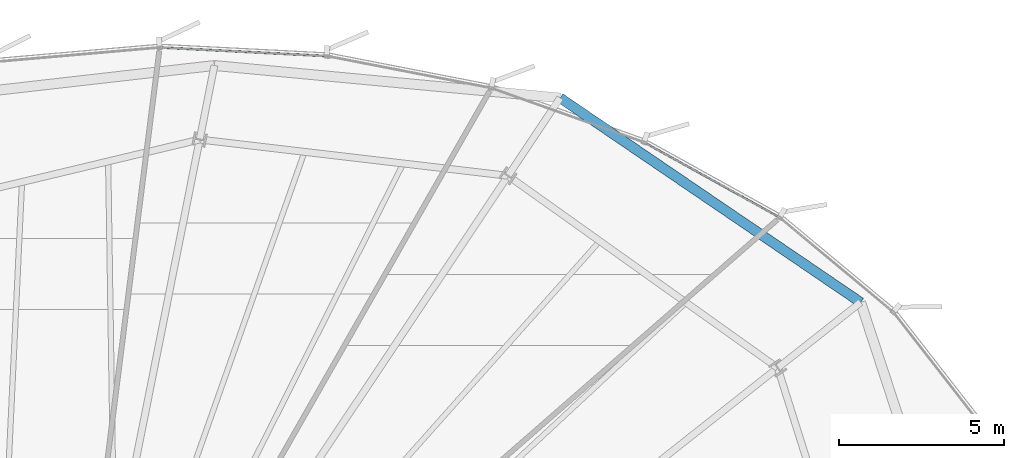
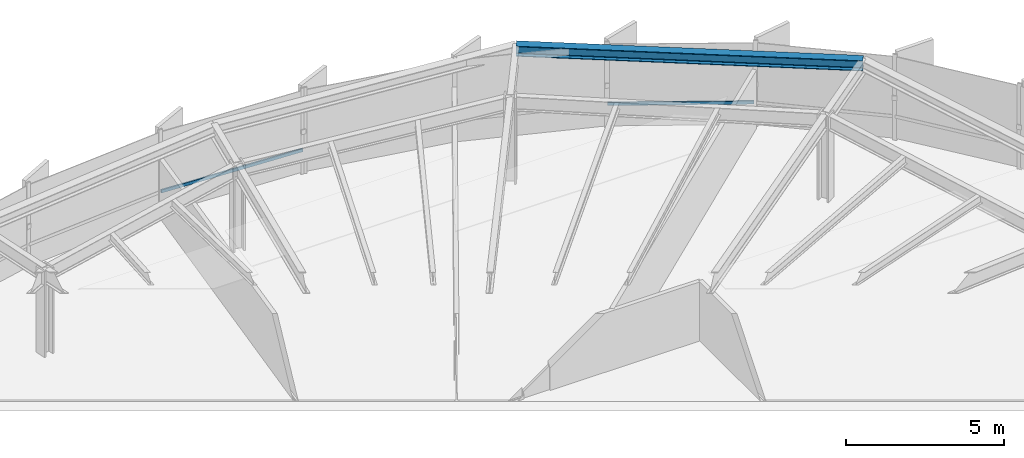
# One storey, part 26 of 35: 2 members, 1 beam, 2 elements without a shape of their own.
"""IFC4 building model written with IfcOpenShell, lengths in metres."""

from ifc_helpers import new_model, si_unit, direction, frame, origin, origin_2d, place, context, subcontext, project, spatial, hollow_rectangle, i_section, extrude, source, transform, mapped, material, layer, layer_set, material_profile, profile_set, type_object, element, aggregate, save


model = new_model("IFC4")

# Units and contexts
model_context = context("Model", 3, precision=1e-05, world=origin(), true_north=direction((0.0, 1.0)))
body_context = subcontext(model_context, "Body", "Model", "MODEL_VIEW")
ifc_project = project(units=[si_unit("LENGTHUNIT", "METRE"), si_unit("AREAUNIT", "SQUARE_METRE"), si_unit("VOLUMEUNIT", "CUBIC_METRE"), si_unit("PLANEANGLEUNIT", "RADIAN"), si_unit("MASSUNIT", "GRAM", prefix="KILO"), si_unit("THERMODYNAMICTEMPERATUREUNIT", "KELVIN")], contexts=[model_context])

# Site, building, storey
site_placement = place(None, origin())
site = spatial("IfcSite", under=ifc_project, at=site_placement, CompositionType="ELEMENT")
building_placement = place(site_placement, origin())
building = spatial("IfcBuilding", under=site, at=building_placement, Name="Kethvar Cultural Tower", CompositionType="ELEMENT")
storey_placement = place(building_placement, frame((0.0, 0.0, 103.60009765625)))
storey = spatial("IfcBuildingStorey", under=building, at=storey_placement, Name="L25", CompositionType="ELEMENT", Elevation=103.60009765625)

# Beam
ifc_material_1 = material(Name="Steel S355J2", Category="steel")
ifc_material_profile_1 = material_profile(ifc_material_1, i_section(OverallWidth=0.300048828125, OverallDepth=0.39990234375, WebThickness=0.013427734375, FlangeThickness=0.02392578125, FilletRadius=0.027099609375, at=origin_2d()), Name="Steel S355J2 — HEB400")
ifc_profile_set_1 = profile_set([ifc_material_profile_1], Name="Steel S355J2 — HEB400")
beam_type = type_object("IfcBeamType", Name="BM-SP400", PredefinedType="SPANDREL", material=ifc_profile_set_1)
shared_shape_1 = source(origin(), body_context, "Body", "SweptSolid", [
    extrude(i_section(OverallWidth=0.300048828125, OverallDepth=0.39990234375, WebThickness=0.013427734375, FlangeThickness=0.02392578125, FilletRadius=0.027099609375, at=origin_2d()), origin(), (0.0, 0.0, 1.0), 11.005126953125),
])
beam_placement = place(storey_placement, frame((71.07958984375, 44.3291015625, 3.14794921875), z_axis=(-0.826791551293, 0.562508427234, 0.0), x_axis=(-0.562508427234, -0.826791551293, 0.0)))
element("IfcBeam", 1, at=beam_placement, inside=storey, type_object=beam_type, Name="L25 Perimeter Spandrel Beam SP-02", PredefinedType="SPANDREL", context=body_context, shape_type="MappedRepresentation", body=[
    mapped(shared_shape_1, transform((0.0, 0.0, 0.0), scale=1.0)),
])

# Curtain wall, member
ifc_material_2 = material(Name="Aluminium 6063-T6", Category="aluminium")
ifc_layer = layer(ifc_material_2, 0.179931640625, Name="Aluminium 6063-T6", Category="aluminium")
ifc_layer_set = layer_set([ifc_layer], Name="Aluminium 6063-T6 (180 mm)")
curtain_wall_type = type_object("IfcCurtainWallType", Name="CW-SYS-03-Z2", PredefinedType="NOTDEFINED", material=ifc_layer_set)
curtain_wall_1_placement = place(storey_placement, origin())
curtain_wall_1 = element("IfcCurtainWall", 2, at=curtain_wall_1_placement, inside=storey, type_object=curtain_wall_type, Name="L25 Curtain Wall Run 01", PredefinedType="NOTDEFINED")
ifc_material_profile_2 = material_profile(ifc_material_2, hollow_rectangle(XDim=0.054931640625, YDim=0.1201171875, WallThickness=0.00390625, at=origin_2d()), Name="Aluminium 6063-T6 — RHS120x55x4")
ifc_profile_set_2 = profile_set([ifc_material_profile_2], Name="Aluminium 6063-T6 — RHS120x55x4")
member_type = type_object("IfcMemberType", Name="CW-SYS-03-Z2-TRN", PredefinedType="USERDEFINED", material=ifc_profile_set_2)
shared_shape_2 = source(origin(), body_context, "Body", "SweptSolid", [
    extrude(hollow_rectangle(XDim=0.054931640625, YDim=0.1201171875, WallThickness=0.00390625, at=origin_2d()), origin(), (0.0, 0.0, 1.0), 4.635498046875),
])
member_1_placement = place(storey_placement, frame((68.59521484375, 46.91796875, 0.949951171875), z_axis=(-0.8746859069, 0.484690173483, 0.0), x_axis=(-0.484690173483, -0.8746859069, 0.0)))
member_1 = element("IfcMember", 3, at=member_1_placement, type_object=member_type, Name="CW-L25-R01 Transom 4", ObjectType="TRANSOM", PredefinedType="USERDEFINED", context=body_context, shape_type="MappedRepresentation", body=[
    mapped(shared_shape_2, transform((0.0, 0.0, 0.0), scale=1.0)),
])
aggregate(curtain_wall_1, [member_1])

curtain_wall_2_placement = place(storey_placement, origin())
curtain_wall_2 = element("IfcCurtainWall", 4, at=curtain_wall_2_placement, inside=storey, type_object=curtain_wall_type, Name="L25 Curtain Wall Run 02", PredefinedType="NOTDEFINED")
shared_shape_3 = source(origin(), body_context, "Body", "SweptSolid", [
    extrude(hollow_rectangle(XDim=0.054931640625, YDim=0.1201171875, WallThickness=0.00390625, at=origin_2d()), origin(), (0.0, 0.0, 1.0), 5.031982421875),
])
member_2_placement = place(storey_placement, frame((54.9111328125, 51.785888671875, 0.949951171875), z_axis=(-0.998671708127, 0.051524939469, 0.0), x_axis=(-0.051524939469, -0.998671708127, 0.0)))
member_2 = element("IfcMember", 5, at=member_2_placement, type_object=member_type, Name="CW-L25-R02 Transom 1", ObjectType="TRANSOM", PredefinedType="USERDEFINED", context=body_context, shape_type="MappedRepresentation", body=[
    mapped(shared_shape_3, transform((0.0, 0.0, 0.0), scale=1.0)),
])
aggregate(curtain_wall_2, [member_2])

save(model, "model.ifc")
